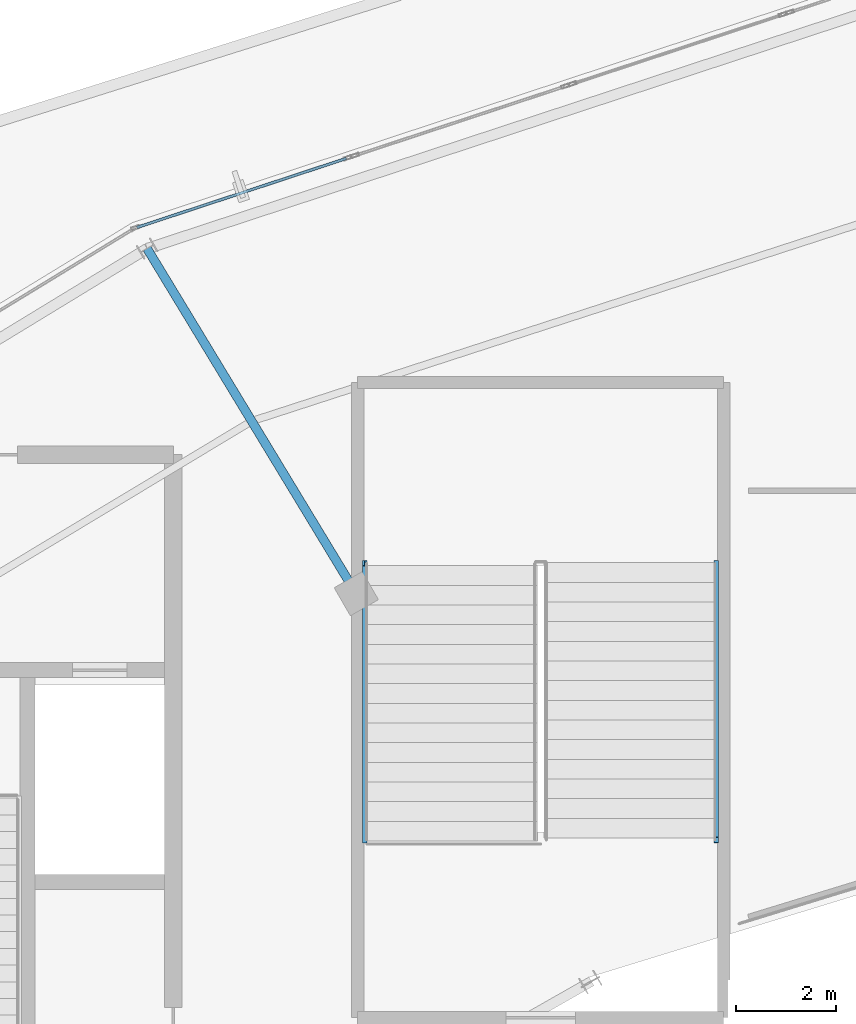
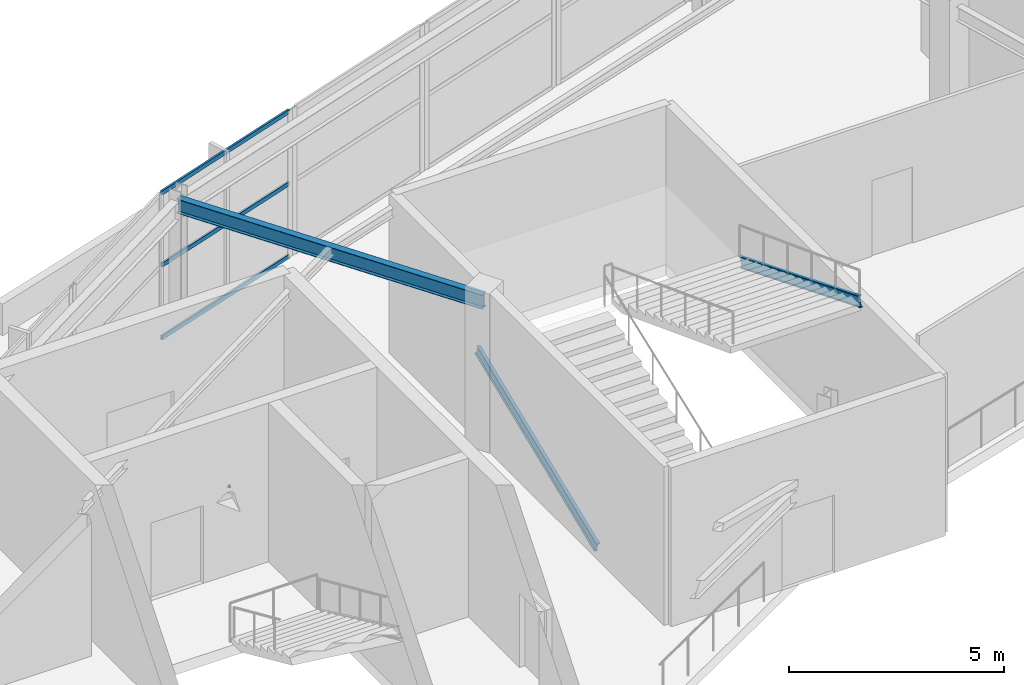
# One storey, part 64 of 126: 5 members, 1 beam, 1 element without a shape of its own.
"""IFC4 building model written with IfcOpenShell, lengths in metres."""

import ifcopenshell
import ifcopenshell.guid

model = None  # the IFC model being written
_history = None  # IfcOwnerHistory: only IFC2X3 demands one
_inside = {}  # id of a spatial element -> (the spatial element, [elements in it])
_under = {}  # id of a project, library or spatial element -> (it, [spatial elements below it])
_declared = {}  # id of a project -> (the project, [libraries it declares])
_typed = {}  # id of a type object -> (the type object, [elements of that type])
_made_of = {}  # id of a material, layer set ... -> (it, [elements and type objects made of it])


def new_model(schema):
    """Start an empty IFC model of exactly this schema.

    Asked for "IFC4X3", IfcOpenShell would pick the latest addendum, in which some entities
    have other attributes; the version numbers below select the first issue.
    IFC2X3 requires an IfcOwnerHistory on every rooted entity: one is made here for all.
    """
    global model, _history
    if schema == "IFC4X3":
        model = ifcopenshell.file(schema_version=(4, 3, 0, 0))
    else:
        model = ifcopenshell.file(schema=schema)
    _inside.clear()
    _under.clear()
    _declared.clear()
    _typed.clear()
    _made_of.clear()
    _history = None
    if model.schema == "IFC2X3":
        org = make("IfcOrganization", Name="unknown")
        user = make(
            "IfcPersonAndOrganization",
            ThePerson=make("IfcPerson", FamilyName="unknown"),
            TheOrganization=org,
        )
        app = make(
            "IfcApplication",
            ApplicationDeveloper=org,
            Version="unknown",
            ApplicationFullName="unknown",
            ApplicationIdentifier="unknown",
        )
        _history = make(
            "IfcOwnerHistory",
            OwningUser=user,
            OwningApplication=app,
            ChangeAction="ADDED",
            CreationDate=0,
        )
    return model


def make(cls, **values):
    """One entity of the class cls with the attributes given. An attribute that is None is left unset."""
    return model.create_entity(
        cls, **{name: value for name, value in values.items() if value is not None}
    )


def rooted(cls, **values):
    """An entity with a GlobalId (a new one), such as an element, a storey or a relation."""
    return make(cls, GlobalId=ifcopenshell.guid.new(), OwnerHistory=_history, **values)


def si_unit(unit_type, name, prefix=None):
    """IfcSIUnit, for example si_unit("LENGTHUNIT", "METRE", prefix="MILLI")."""
    return make("IfcSIUnit", UnitType=unit_type, Prefix=prefix, Name=name)


def assignment(units):
    """IfcUnitAssignment: the units of a project."""
    return None if units is None else make("IfcUnitAssignment", Units=units)


def point(xyz):
    """IfcCartesianPoint."""
    return None if xyz is None else make("IfcCartesianPoint", Coordinates=xyz)


def direction(xyz):
    """IfcDirection."""
    return None if xyz is None else make("IfcDirection", DirectionRatios=xyz)


def frame(location, z_axis=None, x_axis=None):
    """IfcAxis2Placement3D, a coordinate frame: its origin and axes. An axis left out is left unset."""
    return make(
        "IfcAxis2Placement3D",
        Location=point(location),
        Axis=direction(z_axis),
        RefDirection=direction(x_axis),
    )


def frame_2d(location, x_axis=None):
    """IfcAxis2Placement2D, a coordinate frame in the plane: its origin and x axis."""
    return make(
        "IfcAxis2Placement2D", Location=point(location), RefDirection=direction(x_axis)
    )


def origin():
    """The frame at (0, 0, 0) with its axes left unset."""
    return frame((0.0, 0.0, 0.0))


def origin_2d():
    """The frame at (0, 0) in the plane with its x axis left unset."""
    return frame_2d((0.0, 0.0))


def place(relative_to, where):
    """IfcLocalPlacement: puts the frame where relative to a parent placement (None: the world)."""
    return make(
        "IfcLocalPlacement", PlacementRelTo=relative_to, RelativePlacement=where
    )


def context(
    kind, dimensions, precision=None, world=None, true_north=None, identifier=None
):
    """IfcGeometricRepresentationContext, for example the 3D "Model" context."""
    return make(
        "IfcGeometricRepresentationContext",
        ContextIdentifier=identifier,
        ContextType=kind,
        CoordinateSpaceDimension=dimensions,
        Precision=precision,
        WorldCoordinateSystem=world,
        TrueNorth=true_north,
    )


def subcontext(parent, identifier, kind, view, scale=None):
    """IfcGeometricRepresentationSubContext, for example "Body" below "Model"."""
    return make(
        "IfcGeometricRepresentationSubContext",
        ContextIdentifier=identifier,
        ContextType=kind,
        ParentContext=parent,
        TargetScale=scale,
        TargetView=view,
    )


def project(units=None, contexts=None):
    """IfcProject with its units and contexts."""
    return rooted(
        "IfcProject",
        Name="project",
        RepresentationContexts=contexts,
        UnitsInContext=assignment(units),
    )


def spatial(cls, under=None, at=None, **own):
    """A site, building, storey or space (cls), placed at a placement, below another one or the project."""
    s = rooted(cls, ObjectPlacement=at, **own)
    if under is not None:
        _under.setdefault(under.id(), (under, []))[1].append(s)
    return s


def profile(cls, at=None, kind="AREA", **sizes):
    """A parametric profile (cls). Its sizes go by their IFC names, for example OverallWidth=200.0."""
    return make(cls, ProfileType=kind, Position=at, **sizes)


def hollow_rectangle(**sizes):
    """IfcRectangleHollowProfileDef."""
    return profile("IfcRectangleHollowProfileDef", **sizes)


def i_section(**sizes):
    """IfcIShapeProfileDef."""
    return profile("IfcIShapeProfileDef", **sizes)


def extrude(swept, where, along, depth):
    """IfcExtrudedAreaSolid: the profile swept, set in the frame where, extruded along a direction by depth."""
    return make(
        "IfcExtrudedAreaSolid",
        SweptArea=swept,
        Position=where,
        ExtrudedDirection=direction(along),
        Depth=depth,
    )


def shape(context_of_items, identifier, shape_type, items):
    """IfcShapeRepresentation: the items that make up one representation, for example the "Body"."""
    return make(
        "IfcShapeRepresentation",
        ContextOfItems=context_of_items,
        RepresentationIdentifier=identifier,
        RepresentationType=shape_type,
        Items=items,
    )


def material(Name=None, Category=None):
    """IfcMaterial."""
    return make("IfcMaterial", Name=Name, Category=Category)


def layer(
    of_material, thickness, ventilated=None, Name=None, Category=None, Priority=None
):
    """IfcMaterialLayer: one layer of a wall or slab, of a material (None: an air gap)."""
    return make(
        "IfcMaterialLayer",
        Material=of_material,
        LayerThickness=thickness,
        IsVentilated=ventilated,
        Name=Name,
        Category=Category,
        Priority=Priority,
    )


def layer_set(layers, Name=None):
    """IfcMaterialLayerSet."""
    return make("IfcMaterialLayerSet", MaterialLayers=layers, LayerSetName=Name)


def material_profile(
    of_material, cross_section, Name=None, Category=None, Priority=None
):
    """IfcMaterialProfile: a cross section and its material."""
    return make(
        "IfcMaterialProfile",
        Name=Name,
        Material=of_material,
        Profile=cross_section,
        Priority=Priority,
        Category=Category,
    )


def profile_set(profiles, Name=None, composite=None):
    """IfcMaterialProfileSet."""
    return make(
        "IfcMaterialProfileSet",
        Name=Name,
        MaterialProfiles=profiles,
        CompositeProfile=composite,
    )


def made_of(thing, what):
    """Note that an element or type object is made of a material, layer set ...; save() writes the relation."""
    if what is not None:
        _made_of.setdefault(what.id(), (what, []))[1].append(thing)
    return thing


def type_object(cls, material=None, **own):
    """A type object (cls), such as IfcWallType, which elements share."""
    return made_of(rooted(cls, **own), material)


def element(
    cls,
    number,
    at=None,
    inside=None,
    cuts=None,
    type_object=None,
    material=None,
    context=None,
    identifier="Body",
    shape_type=None,
    held_by="IfcProductDefinitionShape",
    body=None,
    shapes=None,
    **own,
):
    """One element of the class cls, such as IfcWall. Its Tag is "e" and its number.

    at: its placement. inside: the storey or other place that contains it. cuts: it is an
    opening in that element (IfcRelVoidsElement). A single representation is given by context,
    identifier, shape_type and body (its items); several are given by shapes. held_by: the class
    of the entity that holds the representations. save() writes the other relations.
    """
    e = rooted(cls, Tag="e%d" % number, ObjectPlacement=at, **own)
    if body is not None:
        shapes = [shape(context, identifier, shape_type, body)]
    if shapes is not None:
        e.Representation = make(held_by, Representations=shapes)
    if inside is not None:
        _inside.setdefault(inside.id(), (inside, []))[1].append(e)
    if cuts is not None:
        rooted(
            "IfcRelVoidsElement", RelatingBuildingElement=cuts, RelatedOpeningElement=e
        )
    if type_object is not None:
        _typed.setdefault(type_object.id(), (type_object, []))[1].append(e)
    return made_of(e, material)


def aggregate(whole, parts):
    """IfcRelAggregates: a whole, such as a stair, and the parts it consists of."""
    return rooted("IfcRelAggregates", RelatingObject=whole, RelatedObjects=parts)


def save(model, path):
    """Write the relations noted so far, then the file.

    IfcRelAggregates (storeys below a building ...), IfcRelContainedInSpatialStructure (elements
    in a storey), IfcRelDefinesByType, IfcRelAssociatesMaterial and IfcRelDeclares: one each for
    every whole, place, type object, material and project.
    """
    for whole, parts in _under.values():
        aggregate(whole, parts)
    for where, things in _inside.values():
        rooted(
            "IfcRelContainedInSpatialStructure",
            RelatedElements=things,
            RelatingStructure=where,
        )
    for kind, things in _typed.values():
        rooted("IfcRelDefinesByType", RelatedObjects=things, RelatingType=kind)
    for what, things in _made_of.values():
        rooted("IfcRelAssociatesMaterial", RelatedObjects=things, RelatingMaterial=what)
    for by, libraries in _declared.values():
        rooted("IfcRelDeclares", RelatingContext=by, RelatedDefinitions=libraries)
    model.write(path)


model = new_model("IFC4")

# Units and contexts
model_context = context("Model", 3, precision=1e-05, world=origin(), true_north=direction((0.0, 1.0)))
body_context = subcontext(model_context, "Body", "Model", "MODEL_VIEW")
ifc_project = project(units=[si_unit("LENGTHUNIT", "METRE"), si_unit("AREAUNIT", "SQUARE_METRE"), si_unit("VOLUMEUNIT", "CUBIC_METRE"), si_unit("PLANEANGLEUNIT", "RADIAN"), si_unit("MASSUNIT", "GRAM", prefix="KILO")], contexts=[model_context])

# Site, building, storey
site_placement = place(None, origin())
site = spatial("IfcSite", under=ifc_project, at=site_placement, CompositionType="ELEMENT")
building_placement = place(site_placement, origin())
building = spatial("IfcBuilding", under=site, at=building_placement, Name="Kalgoora Escarpment Arena", CompositionType="ELEMENT")
storey_placement = place(building_placement, frame((0.0, 0.0, 18.89990234375)))
storey = spatial("IfcBuildingStorey", under=building, at=storey_placement, Name="L04", CompositionType="ELEMENT", Elevation=18.89990234375)

# Beam
ifc_material_1 = material(Name="Structural steel AS/NZS 3679 (300 MPa)", Category="steel")
ifc_material_profile_1 = material_profile(ifc_material_1, i_section(OverallWidth=0.177978515625, OverallDepth=0.406005859375, WebThickness=0.0078125, FlangeThickness=0.0126953125, at=origin_2d()))
ifc_profile_set_1 = profile_set([ifc_material_profile_1], Name="Structural steel AS/NZS 3679 (300 MPa)")
beam_type = type_object("IfcBeamType", Name="BM-GIRDER-410UB59.7", PredefinedType="USERDEFINED", material=ifc_profile_set_1)
beam_placement = place(storey_placement, frame((60.699951171875, 106.435302734375, 4.01708984375), z_axis=(-0.518407902139, 0.85513346736, 0.0), x_axis=(-0.85513346736, -0.518407902139, 0.0)))
element("IfcBeam", 1, at=beam_placement, inside=storey, type_object=beam_type, Name="L04 Radial concourse girder 410UB59.7", ObjectType="GIRDER", PredefinedType="USERDEFINED", context=body_context, shape_type="SweptSolid", body=[
    extrude(i_section(OverallWidth=0.177978515625, OverallDepth=0.406005859375, WebThickness=0.0078125, FlangeThickness=0.0126953125, at=origin_2d()), origin(), (0.0, 0.0, 1.0), 8.1015625),
])

# Curtain wall, members
ifc_material_2 = material(Name=" Champagne anodised aluminium & double-glazed low-E", Category="aluminium")
ifc_layer = layer(ifc_material_2, 0.14990234375)
ifc_layer_set = layer_set([ifc_layer], Name="CW-UNIT-15")
curtain_wall_type = type_object("IfcCurtainWallType", Name="CW-UNIT-15", PredefinedType="NOTDEFINED", material=ifc_layer_set)
curtain_wall_placement = place(storey_placement, origin())
curtain_wall = element("IfcCurtainWall", 2, at=curtain_wall_placement, inside=storey, type_object=curtain_wall_type, Name="L04 unitised facade curtain wall 154", PredefinedType="NOTDEFINED")
ifc_material_3 = material(Name="Anodised aluminium 6063-T6", Category="aluminium")
ifc_material_profile_2 = material_profile(ifc_material_3, hollow_rectangle(XDim=0.054931640625, YDim=0.1201171875, WallThickness=0.003173828125, at=origin_2d()))
ifc_profile_set_2 = profile_set([ifc_material_profile_2], Name="Anodised aluminium 6063-T6")
member_type_1 = type_object("IfcMemberType", Name="MEM-CW-TRAN-120", PredefinedType="USERDEFINED", material=ifc_profile_set_2)
member_1_placement = place(storey_placement, frame((56.294677734375, 113.787841796875, 0.047607421875), z_axis=(0.949747912107, 0.313015819804, 0.0), x_axis=(-0.313015819804, 0.949747912107, 0.0)))
member_1 = element("IfcMember", 3, at=member_1_placement, type_object=member_type_1, Name="CW-15 transom 1.1", ObjectType="TRANSOM", PredefinedType="USERDEFINED", context=body_context, shape_type="SweptSolid", body=[
    extrude(hollow_rectangle(XDim=0.054931640625, YDim=0.1201171875, WallThickness=0.003173828125, at=origin_2d()), origin(), (0.0, 0.0, 1.0), 4.42626953125),
])
member_2_placement = place(storey_placement, frame((56.294677734375, 113.787841796875, 2.110107421875), z_axis=(0.949747912107, 0.313015819804, 0.0), x_axis=(-0.313015819804, 0.949747912107, 0.0)))
member_2 = element("IfcMember", 4, at=member_2_placement, type_object=member_type_1, Name="CW-15 transom 1.2", ObjectType="TRANSOM", PredefinedType="USERDEFINED", context=body_context, shape_type="SweptSolid", body=[
    extrude(hollow_rectangle(XDim=0.054931640625, YDim=0.1201171875, WallThickness=0.003173828125, at=origin_2d()), origin(), (0.0, 0.0, 1.0), 4.42626953125),
])
member_3_placement = place(storey_placement, frame((56.294677734375, 113.787841796875, 4.152587890625), z_axis=(0.949747912107, 0.313015819804, 0.0), x_axis=(-0.313015819804, 0.949747912107, 0.0)))
member_3 = element("IfcMember", 5, at=member_3_placement, type_object=member_type_1, Name="CW-15 transom 1.3", ObjectType="TRANSOM", PredefinedType="USERDEFINED", context=body_context, shape_type="SweptSolid", body=[
    extrude(hollow_rectangle(XDim=0.054931640625, YDim=0.1201171875, WallThickness=0.003173828125, at=origin_2d()), origin(), (0.0, 0.0, 1.0), 4.42626953125),
])
aggregate(curtain_wall, [member_1, member_2, member_3])

# Members
ifc_material_4 = material(Name="Structural steel AS/NZS 3679 (300 MPa)", Category="steel")
ifc_material_profile_3 = material_profile(ifc_material_4, i_section(OverallWidth=0.090087890625, OverallDepth=0.300048828125, WebThickness=0.008056640625, FlangeThickness=0.01611328125, at=origin_2d()))
ifc_profile_set_3 = profile_set([ifc_material_profile_3], Name="Structural steel AS/NZS 3679 (300 MPa)")
member_type_2 = type_object("IfcMemberType", Name="MEM-STRINGER-PFC", PredefinedType="STRINGER", material=ifc_profile_set_3)
for number, where, z_axis, x_axis, name in (
    (6, (60.8701171875, 101.489990234375, -0.039794921875), (0.0, 0.926975796404, 0.375121144273), (-1.0, 0.0, 0.0), "ST09 L04 steel stair stringer 1"),
    (7, (67.929931640625, 107.050048828125, 2.210205078125), (0.0, -0.926975796404, 0.375121144273), (1.0, 0.0, 0.0), "ST09 L04 steel stair stringer 2"),
):
    element("IfcMember", number, at=place(storey_placement, frame(where, z_axis=z_axis, x_axis=x_axis)), inside=storey, type_object=member_type_2, Name=name, PredefinedType="STRINGER", context=body_context, shape_type="SweptSolid", body=[
        extrude(i_section(OverallWidth=0.090087890625, OverallDepth=0.300048828125, WebThickness=0.008056640625, FlangeThickness=0.01611328125, at=origin_2d()), origin(), (0.0, 0.0, 1.0), 5.998046875),
    ])

save(model, "model.ifc")
